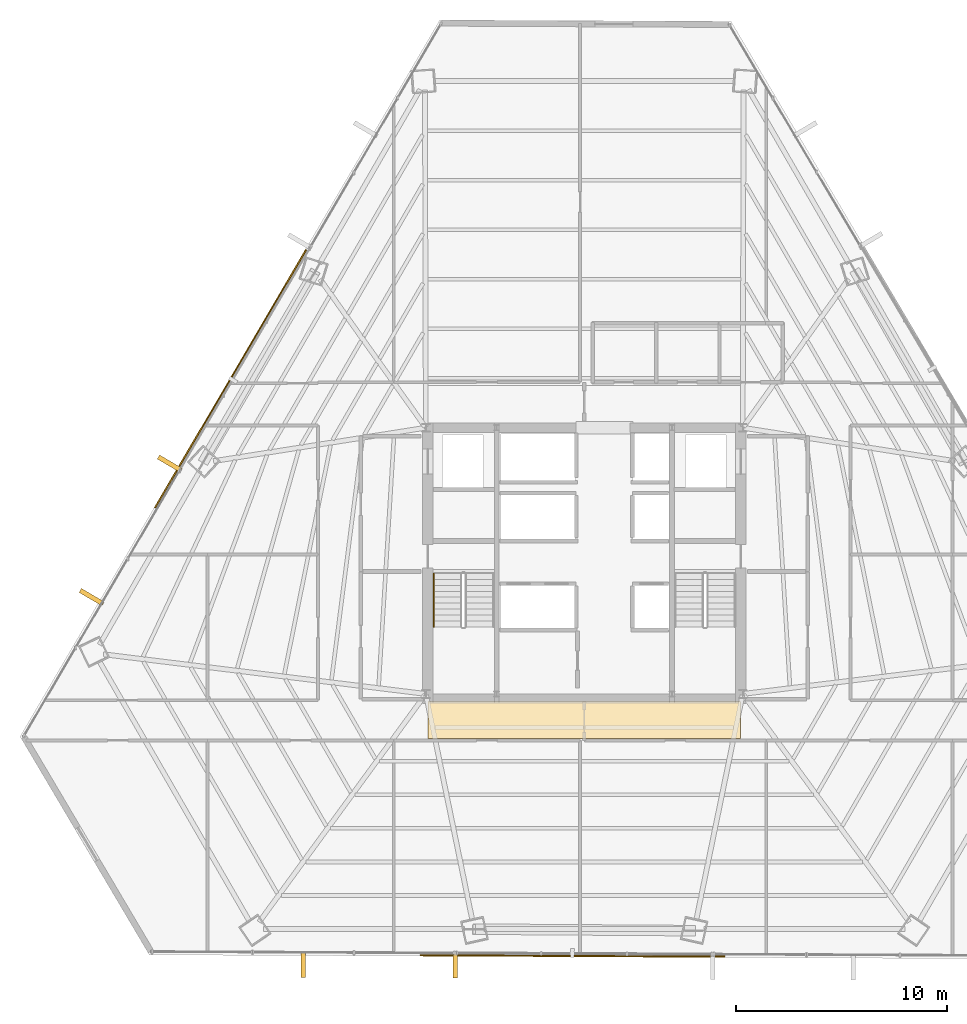
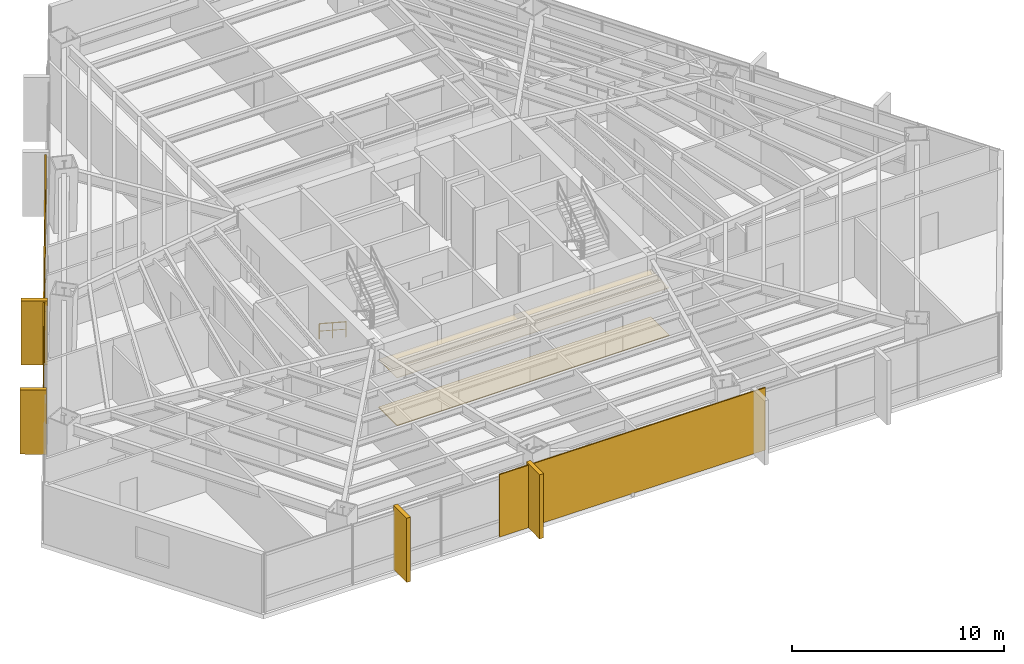
# One storey, part 33 of 35: 6 coverings, 2 shading devices, 1 railing.
"""IFC4 building model written with IfcOpenShell, lengths in metres."""

from ifc_helpers import new_model, si_unit, direction, frame, origin, origin_2d, place, context, subcontext, project, spatial, polyline, rectangle, outline, extrude, source, transform, mapped, material, layer, layer_set, type_object, type_shapes, element, save


model = new_model("IFC4")

# Units and contexts
model_context = context("Model", 3, precision=1e-05, world=origin(), true_north=direction((0.0, 1.0)))
body_context = subcontext(model_context, "Body", "Model", "MODEL_VIEW")
ifc_project = project(units=[si_unit("LENGTHUNIT", "METRE"), si_unit("AREAUNIT", "SQUARE_METRE"), si_unit("VOLUMEUNIT", "CUBIC_METRE"), si_unit("PLANEANGLEUNIT", "RADIAN"), si_unit("MASSUNIT", "GRAM", prefix="KILO")], contexts=[model_context])

# Site, building, storey
site_placement = place(None, origin())
site = spatial("IfcSite", under=ifc_project, at=site_placement, CompositionType="ELEMENT")
building_placement = place(site_placement, origin())
building = spatial("IfcBuilding", under=site, at=building_placement, Name="Caelisora Broadcast Tower", CompositionType="ELEMENT")
storey_placement = place(building_placement, frame((0.0, 0.0, 98.10009765625)))
storey = spatial("IfcBuildingStorey", under=building, at=storey_placement, Name="L25", CompositionType="ELEMENT", Elevation=98.10009765625)

# Coverings
ifc_material_1 = material(Name="Perforated Mineral-Fibre Acoustic Ceiling Tile", Category="gypsum")
ifc_layer_1 = layer(ifc_material_1, 0.034912109375, Name="Perforated Mineral-Fibre Acoustic Ceiling Tile")
ifc_layer_set_1 = layer_set([ifc_layer_1], Name="Perforated Mineral-Fibre Acoustic Ceiling Tile")
covering_type_1 = type_object("IfcCoveringType", Name="CE-1", PredefinedType="CEILING", material=ifc_layer_set_1)
covering_1_placement = place(storey_placement, frame((0.0, 0.0, 2.75)))
element("IfcCovering", 1, at=covering_1_placement, inside=storey, type_object=covering_type_1, Name="L25 acoustic corridor ceiling CE-1 (S)", PredefinedType="CEILING", context=body_context, shape_type="SweptSolid", body=[
    extrude(outline(polyline([(30.60009765625, 15.300048828125), (45.39990234375, 15.300048828125), (45.39990234375, 17.050048828125), (30.60009765625, 17.050048828125), (30.60009765625, 15.300048828125)])), origin(), (0.0, 0.0, 1.0), 0.034912109375),
])
ifc_material_2 = material(Name="Anti-Static Broadcast Raised Access Floor Panel", Category="steel")
ifc_layer_2 = layer(ifc_material_2, 0.044921875, Name="Anti-Static Broadcast Raised Access Floor Panel")
ifc_layer_set_2 = layer_set([ifc_layer_2], Name="Anti-Static Broadcast Raised Access Floor Panel")
covering_type_2 = type_object("IfcCoveringType", Name="FL-1", PredefinedType="FLOORING", material=ifc_layer_set_2)
covering_2_placement = place(storey_placement, origin())
element("IfcCovering", 2, at=covering_2_placement, inside=storey, type_object=covering_type_2, Name="L25 broadcast raised access floor FL-1 (S)", PredefinedType="FLOORING", context=body_context, shape_type="SweptSolid", body=[
    extrude(outline(polyline([(30.60009765625, 15.300048828125), (45.39990234375, 15.300048828125), (45.39990234375, 17.050048828125), (30.60009765625, 17.050048828125), (30.60009765625, 15.300048828125)])), origin(), (0.0, 0.0, 1.0), 0.044921875),
])

# Railing
ifc_material_3 = material(Name="Stainless Steel Grade 316 Tubular Handrail", Category="steel")
ifc_layer_3 = layer(ifc_material_3, 0.048095703125, Name="Stainless Steel Grade 316 Tubular Handrail")
ifc_layer_set_3 = layer_set([ifc_layer_3], Name="Stainless Steel Grade 316 Tubular Handrail")
railing_type = type_object("IfcRailingType", Name="HR-1", PredefinedType="HANDRAIL", material=ifc_layer_set_3)
railing_placement = place(storey_placement, frame((30.8701171875, 23.10009765625, 0.182373046875)))
element("IfcRailing", 3, at=railing_placement, inside=storey, type_object=railing_type, Name="L25 ST-1 stair handrail 1", PredefinedType="HANDRAIL", context=body_context, shape_type="SweptSolid", body=[
    extrude(rectangle(XDim=0.048095703125, YDim=0.048095703125, at=origin_2d()), frame((0.0, 0.0, 0.8759765625), z_axis=(0.0, -0.837749427056, 0.546054848405), x_axis=(1.0, 0.0, 0.0)), (0.0, 0.0, 1.0), 3.008056640625),
    extrude(rectangle(XDim=0.03125, YDim=0.03125, at=origin_2d()), frame((0.0, 0.0, 0.449951171875), z_axis=(0.0, -0.837749427056, 0.546054848405), x_axis=(1.0, 0.0, 0.0)), (0.0, 0.0, 1.0), 3.008056640625),
    extrude(rectangle(XDim=0.0419921875, YDim=0.0419921875, at=origin_2d()), origin(), (0.0, 0.0, 1.0), 0.851806640625),
    extrude(rectangle(XDim=0.0419921875, YDim=0.0419921875, at=origin_2d()), frame((0.0, -1.260009765625, 0.8212890625)), (0.0, 0.0, 1.0), 0.851806640625),
    extrude(rectangle(XDim=0.0419921875, YDim=0.0419921875, at=origin_2d()), frame((0.0, -2.52001953125, 1.642578125)), (0.0, 0.0, 1.0), 0.851806640625),
])

# Coverings
ifc_material_4 = material(Name="Kiln-Fired Terracotta Spandrel Rainscreen Cladding", Category="ceramic")
ifc_layer_4 = layer(ifc_material_4, 0.044921875, Name="Kiln-Fired Terracotta Spandrel Rainscreen Cladding")
ifc_layer_set_4 = layer_set([ifc_layer_4], Name="Kiln-Fired Terracotta Spandrel Rainscreen Cladding")
covering_type_3 = type_object("IfcCoveringType", Name="CL-1", PredefinedType="CLADDING", material=ifc_layer_set_4)
shared_shape_1 = source(origin(), body_context, "Body", "SweptSolid", [
    extrude(rectangle(XDim=0.219970703125, YDim=1.25, at=origin_2d()), origin(), (0.0, 0.0, 1.0), 3.68994140625),
])
type_shapes(covering_type_3, [shared_shape_1])
for number, where, z_axis, x_axis, name in (
    (4, (31.898681640625, 4.5732421875, -0.02001953125), (0.0, 0.0, 1.0), (-0.999989703949, 0.004537840481, 0.0), "L25 vertical solar fin cladding #2-3"),
    (5, (24.696533203125, 4.606201171875, -0.02001953125), (0.0, 0.0, 1.0), (-0.999989703949, 0.004537840481, 0.0), "L25 vertical solar fin cladding #2-4"),
    (6, (14.684326171875, 21.982666015625, -0.02001953125), (0.0, 0.0, 1.0), (0.505431492718, 0.862866737202, 0.0), "L25 vertical solar fin cladding #3-1"),
    (7, (18.384033203125, 28.29833984375, -0.02001953125), (0.0, 0.0, 1.0), (0.505431492718, 0.862866737202, 0.0), "L25 vertical solar fin cladding #3-2"),
):
    element("IfcCovering", number, at=place(storey_placement, frame(where, z_axis=z_axis, x_axis=x_axis)), inside=storey, type_object=covering_type_3, Name=name, PredefinedType="CLADDING", context=body_context, shape_type="MappedRepresentation", body=[
        mapped(shared_shape_1, transform((0.0, 0.0, 0.0), scale=1.0)),
    ])

# Shading devices
ifc_material_5 = material(Name="Perforated Glazed Terracotta Baguette Solar Screen", Category="ceramic")
ifc_layer_5 = layer(ifc_material_5, 0.06494140625, Name="Perforated Glazed Terracotta Baguette Solar Screen")
ifc_layer_set_5 = layer_set([ifc_layer_5], Name="Perforated Glazed Terracotta Baguette Solar Screen")
shading_device_type = type_object("IfcShadingDeviceType", Name="SS-1", PredefinedType="USERDEFINED", material=ifc_layer_set_5)
shared_shape_2 = source(origin(), body_context, "Body", "SweptSolid", [
    extrude(rectangle(XDim=14.14892578125, YDim=0.06494140625, at=origin_2d()), origin(), (0.0, 0.0, 1.0), 3.590087890625),
])
shading_device_1_placement = place(storey_placement, frame((21.261474609375, 32.3203125, 0.0), z_axis=(0.0, 0.0, 1.0), x_axis=(-0.505431492718, -0.862866737202, 0.0)))
element("IfcShadingDevice", 8, at=shading_device_1_placement, inside=storey, type_object=shading_device_type, Name="L25 perforated terracotta solar screen #1", ObjectType="SOLAR SCREEN", PredefinedType="USERDEFINED", context=body_context, shape_type="MappedRepresentation", body=[
    mapped(shared_shape_2, transform((0.0, 0.0, 0.0), scale=1.0)),
])
shared_shape_3 = source(origin(), body_context, "Body", "SweptSolid", [
    extrude(rectangle(XDim=14.4169921875, YDim=0.06494140625, at=origin_2d()), origin(), (0.0, 0.0, 1.0), 3.590087890625),
])
type_shapes(shading_device_type, [shared_shape_2, shared_shape_3])
shading_device_2_placement = place(storey_placement, frame((37.434814453125, 4.998046875, 0.0), z_axis=(0.0, 0.0, 1.0), x_axis=(0.999989703949, -0.004537840481, 0.0)))
element("IfcShadingDevice", 9, at=shading_device_2_placement, inside=storey, type_object=shading_device_type, Name="L25 perforated terracotta solar screen #2", ObjectType="SOLAR SCREEN", PredefinedType="USERDEFINED", context=body_context, shape_type="MappedRepresentation", body=[
    mapped(shared_shape_3, transform((0.0, 0.0, 0.0), scale=1.0)),
])

save(model, "model.ifc")
